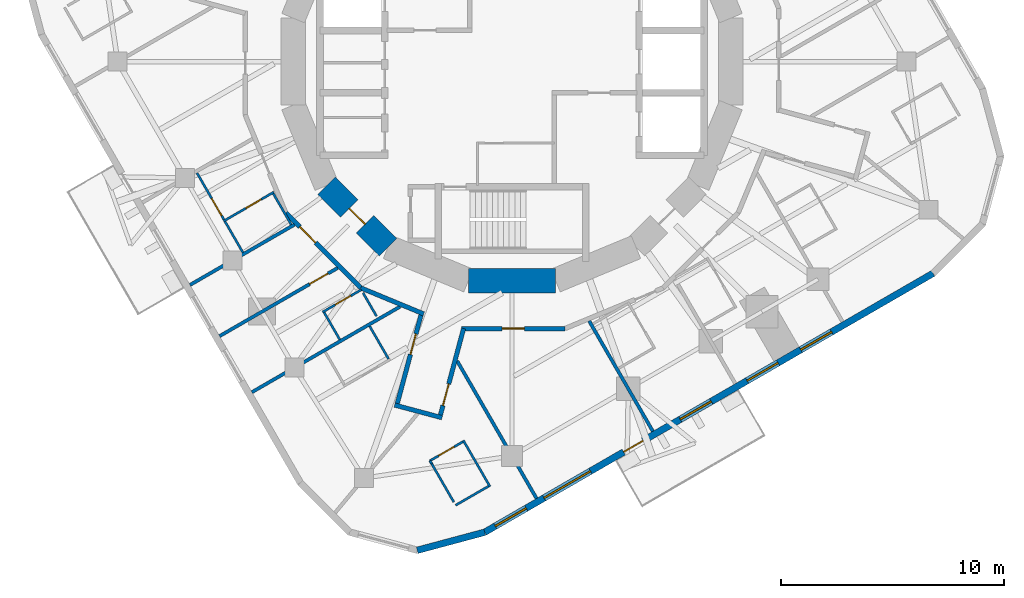
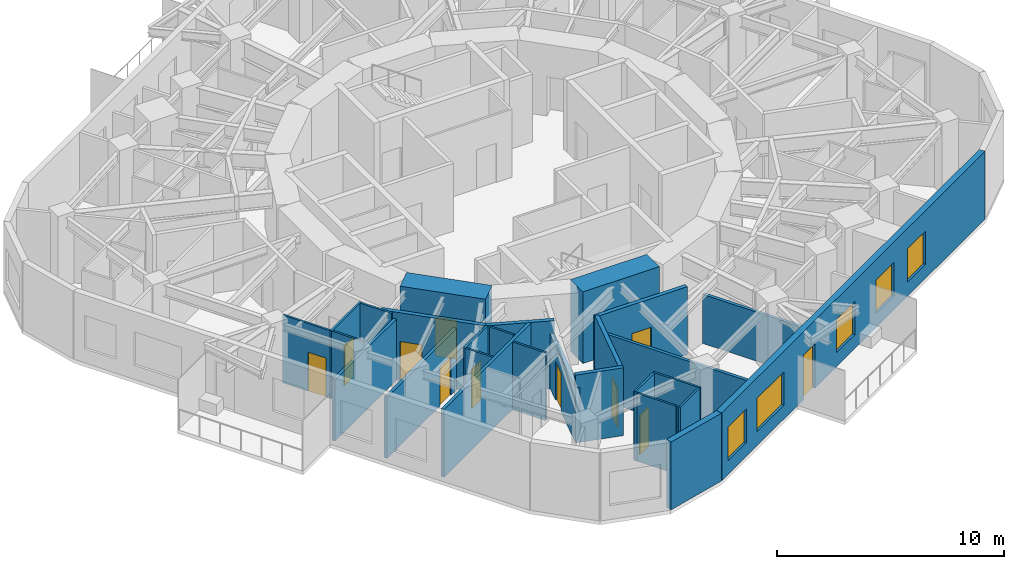
# One storey, part 4 of 11: 28 walls, 11 doors, 5 windows, 16 openings.
"""IFC4 building model written with IfcOpenShell, lengths in metres."""

from ifc_helpers import new_model, si_unit, direction, frame, frame_2d, origin, place, context, subcontext, project, spatial, rectangle, extrude, material, layer, layer_set, type_object, element, fill, save


model = new_model("IFC4")

# Units and contexts
model_context = context("Model", 3, precision=1e-05, world=origin(), true_north=direction((0.0, 1.0)))
body_context = subcontext(model_context, "Body", "Model", "MODEL_VIEW")
ifc_project = project(units=[si_unit("LENGTHUNIT", "METRE"), si_unit("AREAUNIT", "SQUARE_METRE"), si_unit("VOLUMEUNIT", "CUBIC_METRE"), si_unit("PLANEANGLEUNIT", "RADIAN"), si_unit("MASSUNIT", "GRAM", prefix="KILO")], contexts=[model_context])

# Site, building, storey
site_placement = place(None, origin())
site = spatial("IfcSite", under=ifc_project, at=site_placement, CompositionType="ELEMENT")
building_placement = place(site_placement, origin())
building = spatial("IfcBuilding", under=site, at=building_placement, Name="Nakasero Lantern House", CompositionType="ELEMENT")
storey_placement = place(building_placement, frame((0.0, 0.0, 242.35009765625)))
storey = spatial("IfcBuildingStorey", under=building, at=storey_placement, Name="L59", CompositionType="ELEMENT", Elevation=242.35009765625)

# Wall, opening, door
ifc_material_1 = material(Name="Concrete C50/60", Category="concrete")
ifc_layer_1 = layer(ifc_material_1, 1.10009765625)
ifc_layer_set_1 = layer_set([ifc_layer_1], Name="Core wall 1100")
wall_type_1 = type_object("IfcWallType", Name="Core wall 1100", PredefinedType="SHEAR", material=ifc_layer_set_1)
wall_1_placement = place(storey_placement, frame((-8.314697265625, -5.5556640625, 0.0), z_axis=(0.0, 0.0, 1.0), x_axis=(0.707106781187, -0.707106781187, 0.0)))
wall_1 = element("IfcWall", 1, at=wall_1_placement, inside=storey, type_object=wall_type_1, Name="Core wall L59 facet 10", PredefinedType="SHEAR", context=body_context, shape_type="SweptSolid", body=[
    extrude(rectangle(XDim=3.90185546875, YDim=1.10009765625, at=frame_2d((1.950927734375, 0.0))), origin(), (0.0, 0.0, 1.0), 3.849853515625),
])
opening_1_placement = place(wall_1_placement, frame((1.450927734375, 0.0, 0.0)))
opening_1 = element("IfcOpeningElement", 2, at=opening_1_placement, cuts=wall_1, Name="Opening D05", PredefinedType="OPENING", context=body_context, shape_type="SweptSolid", body=[
    extrude(rectangle(XDim=1.0, YDim=2.10009765625, at=frame_2d((0.5, 1.050048828125))), frame((0.0, 0.570068359375, 0.0), z_axis=(0.0, -1.0, 0.0), x_axis=(1.0, 0.0, 0.0)), (0.0, 0.0, 1.0), 1.14013671875),
])
ifc_material_2 = material(Name="Timber C24", Category="wood")
door_type_1 = type_object("IfcDoorType", Name="Core door FD60S 1000", OperationType="SINGLE_SWING_LEFT", PredefinedType="DOOR", material=ifc_material_2)
door_1_placement = place(opening_1_placement, origin())
door_1 = element("IfcDoor", 3, at=door_1_placement, inside=storey, type_object=door_type_1, Name="Door L59 D-CORE10", OperationType="SINGLE_SWING_LEFT", OverallHeight=2.10009765625, OverallWidth=1.0, PredefinedType="DOOR", context=body_context, shape_type="SweptSolid", body=[
    extrude(rectangle(XDim=1.0, YDim=2.10009765625, at=frame_2d((0.5, 1.050048828125))), frame((0.0, 0.02490234375, 0.0), z_axis=(0.0, -1.0, 0.0), x_axis=(1.0, 0.0, 0.0)), (0.0, 0.0, 1.0), 0.050048828125),
])
fill(opening_1, door_1)

# Wall
wall_2_placement = place(storey_placement, frame((-1.950927734375, -9.807861328125, 0.0), z_axis=(0.0, 0.0, 1.0), x_axis=(1.0, 0.0, 0.0)))
element("IfcWall", 4, at=wall_2_placement, inside=storey, type_object=wall_type_1, Name="Core wall L59 facet 12", PredefinedType="SHEAR", context=body_context, shape_type="SweptSolid", body=[
    extrude(rectangle(XDim=3.90185546875, YDim=1.10009765625, at=frame_2d((1.950927734375, 0.0))), origin(), (0.0, 0.0, 1.0), 3.849853515625),
])

# Wall, opening, door
ifc_material_3 = material(Name="Blockwork", Category="masonry")
ifc_layer_2 = layer(ifc_material_3, 0.199951171875)
ifc_layer_set_2 = layer_set([ifc_layer_2], Name="Corridor wall 200")
wall_type_2 = type_object("IfcWallType", Name="Corridor wall 200", PredefinedType="PARTITIONING", material=ifc_layer_set_2)
wall_3_placement = place(storey_placement, frame((2.378662109375, -11.957763671875, 0.0), z_axis=(0.0, 0.0, 1.0), x_axis=(-1.0, 0.0, 0.0)))
wall_3 = element("IfcWall", 5, at=wall_3_placement, inside=storey, type_object=wall_type_2, Name="Corridor wall L59 RC04a", PredefinedType="PARTITIONING", context=body_context, shape_type="SweptSolid", body=[
    extrude(rectangle(XDim=4.651123046875, YDim=0.199951171875, at=frame_2d((2.32568359375, 0.0))), origin(), (0.0, 0.0, 1.0), 3.64990234375),
])
opening_2_placement = place(wall_3_placement, frame((1.820068359375, 0.0, 0.0)))
opening_2 = element("IfcOpeningElement", 6, at=opening_2_placement, cuts=wall_3, Name="Opening D03", PredefinedType="OPENING", context=body_context, shape_type="SweptSolid", body=[
    extrude(rectangle(XDim=1.0, YDim=2.10009765625, at=frame_2d((0.5, 1.050048828125))), frame((0.0, 0.119873046875, 0.0), z_axis=(0.0, -1.0, 0.0), x_axis=(1.0, 0.0, 0.0)), (0.0, 0.0, 1.0), 0.239990234375),
])
ifc_material_4 = material(Name="Timber C24", Category="wood")
door_type_2 = type_object("IfcDoorType", Name="Lounge door FD30S 1000", OperationType="SINGLE_SWING_LEFT", PredefinedType="DOOR", material=ifc_material_4)
door_2_placement = place(opening_2_placement, origin())
door_2 = element("IfcDoor", 7, at=door_2_placement, inside=storey, type_object=door_type_2, Name="Door L59 DK3", OperationType="SINGLE_SWING_LEFT", OverallHeight=2.10009765625, OverallWidth=1.0, PredefinedType="DOOR", context=body_context, shape_type="SweptSolid", body=[
    extrude(rectangle(XDim=1.0, YDim=2.10009765625, at=frame_2d((0.5, 1.050048828125))), frame((0.0, 0.02490234375, 0.0), z_axis=(0.0, -1.0, 0.0), x_axis=(1.0, 0.0, 0.0)), (0.0, 0.0, 1.0), 0.050048828125),
])
fill(opening_2, door_2)

# Wall
wall_4_placement = place(storey_placement, frame((-3.960205078125, -11.302734375, 0.0), z_axis=(0.0, 0.0, 1.0), x_axis=(-0.923890787601, 0.382656259044, 0.0)))
element("IfcWall", 8, at=wall_4_placement, inside=storey, type_object=wall_type_2, Name="Corridor wall L59 RC05a", PredefinedType="PARTITIONING", context=body_context, shape_type="SweptSolid", body=[
    extrude(rectangle(XDim=3.045166015625, YDim=0.199951171875, at=frame_2d((1.5224609375, 0.0))), origin(), (0.0, 0.0, 1.0), 3.64990234375),
])

# Wall, opening, door
wall_5_placement = place(storey_placement, frame((-6.773681640625, -10.137451171875, 0.0), z_axis=(0.0, 0.0, 1.0), x_axis=(-0.707106781187, 0.707106781187, 0.0)))
wall_5 = element("IfcWall", 9, at=wall_5_placement, inside=storey, type_object=wall_type_2, Name="Corridor wall L59 RC06a", PredefinedType="PARTITIONING", context=body_context, shape_type="SweptSolid", body=[
    extrude(rectangle(XDim=4.757080078125, YDim=0.199951171875, at=frame_2d((2.37841796875, 0.0))), origin(), (0.0, 0.0, 1.0), 3.64990234375),
])
opening_3_placement = place(wall_5_placement, frame((2.8701171875, 0.0, 0.0)))
opening_3 = element("IfcOpeningElement", 10, at=opening_3_placement, cuts=wall_5, Name="Opening D14", PredefinedType="OPENING", context=body_context, shape_type="SweptSolid", body=[
    extrude(rectangle(XDim=1.0, YDim=2.10009765625, at=frame_2d((0.5, 1.050048828125))), frame((0.0, 0.119873046875, 0.0), z_axis=(0.0, -1.0, 0.0), x_axis=(1.0, 0.0, 0.0)), (0.0, 0.0, 1.0), 0.239990234375),
])
ifc_material_5 = material(Name="Timber C24", Category="wood")
door_type_3 = type_object("IfcDoorType", Name="Cluster entrance door FD30S 1000", OperationType="SINGLE_SWING_LEFT", PredefinedType="DOOR", material=ifc_material_5)
door_3_placement = place(opening_3_placement, origin())
door_3 = element("IfcDoor", 11, at=door_3_placement, inside=storey, type_object=door_type_3, Name="Door L59 D2-04", OperationType="SINGLE_SWING_RIGHT", OverallHeight=2.10009765625, OverallWidth=1.0, PredefinedType="DOOR", context=body_context, shape_type="SweptSolid", body=[
    extrude(rectangle(XDim=1.0, YDim=2.10009765625, at=frame_2d((0.5, 1.050048828125))), frame((0.0, 0.02490234375, 0.0), z_axis=(0.0, -1.0, 0.0), x_axis=(1.0, 0.0, 0.0)), (0.0, 0.0, 1.0), 0.050048828125),
])
fill(opening_3, door_3)

wall_6_placement = place(storey_placement, frame((-4.053466796875, -11.26416015625, 0.0), z_axis=(0.0, 0.0, 1.0), x_axis=(-0.258841611204, -0.965919779438, 0.0)))
wall_6 = element("IfcWall", 12, at=wall_6_placement, inside=storey, type_object=wall_type_2, Name="Corridor wall L59 SP2a", PredefinedType="PARTITIONING", context=body_context, shape_type="SweptSolid", body=[
    extrude(rectangle(XDim=4.394287109375, YDim=0.199951171875, at=frame_2d((2.197265625, 0.0))), origin(), (0.0, 0.0, 1.0), 2.95703125),
])
opening_4_placement = place(wall_6_placement, frame((0.969970703125, 0.0, 0.0)))
opening_4 = element("IfcOpeningElement", 13, at=opening_4_placement, cuts=wall_6, Name="Opening D01", PredefinedType="OPENING", context=body_context, shape_type="SweptSolid", body=[
    extrude(rectangle(XDim=0.949951171875, YDim=2.10009765625, at=frame_2d((0.47509765625, 1.050048828125))), frame((0.0, 0.119873046875, 0.0), z_axis=(0.0, -1.0, 0.0), x_axis=(1.0, 0.0, 0.0)), (0.0, 0.0, 1.0), 0.239990234375),
])
ifc_material_6 = material(Name="Timber C24", Category="wood")
door_type_4 = type_object("IfcDoorType", Name="Bedroom door FD30S 950", OperationType="SINGLE_SWING_LEFT", PredefinedType="DOOR", material=ifc_material_6)
door_4_placement = place(opening_4_placement, origin())
door_4 = element("IfcDoor", 14, at=door_4_placement, inside=storey, type_object=door_type_4, Name="Door L59 D2-06", OperationType="SINGLE_SWING_LEFT", OverallHeight=2.10009765625, OverallWidth=0.949951171875, PredefinedType="DOOR", context=body_context, shape_type="SweptSolid", body=[
    extrude(rectangle(XDim=0.949951171875, YDim=2.10009765625, at=frame_2d((0.47509765625, 1.050048828125))), frame((0.0, 0.02490234375, 0.0), z_axis=(0.0, -1.0, 0.0), x_axis=(1.0, 0.0, 0.0)), (0.0, 0.0, 1.0), 0.050048828125),
])
fill(opening_4, door_4)

wall_7_placement = place(storey_placement, frame((-2.168701171875, -11.957763671875, 0.0), z_axis=(0.0, 0.0, 1.0), x_axis=(-0.258852936168, -0.965916744568, 0.0)))
wall_7 = element("IfcWall", 15, at=wall_7_placement, inside=storey, type_object=wall_type_2, Name="Corridor wall L59 SP2b", PredefinedType="PARTITIONING", context=body_context, shape_type="SweptSolid", body=[
    extrude(rectangle(XDim=4.212158203125, YDim=0.199951171875, at=frame_2d((2.10595703125, 0.0))), origin(), (0.0, 0.0, 1.0), 3.64990234375),
])
opening_5_placement = place(wall_7_placement, frame((2.570068359375, 0.0, 0.0)))
opening_5 = element("IfcOpeningElement", 16, at=opening_5_placement, cuts=wall_7, Name="Opening D07", PredefinedType="OPENING", context=body_context, shape_type="SweptSolid", body=[
    extrude(rectangle(XDim=1.0, YDim=2.10009765625, at=frame_2d((0.5, 1.050048828125))), frame((0.0, 0.119873046875, 0.0), z_axis=(0.0, -1.0, 0.0), x_axis=(1.0, 0.0, 0.0)), (0.0, 0.0, 1.0), 0.239990234375),
])
ifc_material_7 = material(Name="Timber C24", Category="wood")
door_type_5 = type_object("IfcDoorType", Name="Room door FD30S 1000", OperationType="SINGLE_SWING_LEFT", PredefinedType="DOOR", material=ifc_material_7)
door_5_placement = place(opening_5_placement, origin())
door_5 = element("IfcDoor", 17, at=door_5_placement, inside=storey, type_object=door_type_5, Name="Door L59 D3-00", OperationType="SINGLE_SWING_RIGHT", OverallHeight=2.10009765625, OverallWidth=1.0, PredefinedType="DOOR", context=body_context, shape_type="SweptSolid", body=[
    extrude(rectangle(XDim=1.0, YDim=2.10009765625, at=frame_2d((0.5, 1.050048828125))), frame((0.0, 0.02490234375, 0.0), z_axis=(0.0, -1.0, 0.0), x_axis=(1.0, 0.0, 0.0)), (0.0, 0.0, 1.0), 0.050048828125),
])
fill(opening_5, door_5)

# Wall
wall_8_placement = place(storey_placement, frame((-5.261474609375, -15.38623046875, 0.0), z_axis=(0.0, 0.0, 1.0), x_axis=(0.965904454439, -0.258898792763, 0.0)))
element("IfcWall", 18, at=wall_8_placement, inside=storey, type_object=wall_type_2, Name="Corridor wall L59 SP2e", PredefinedType="PARTITIONING", context=body_context, shape_type="SweptSolid", body=[
    extrude(rectangle(XDim=2.199951171875, YDim=0.199951171875, at=frame_2d((1.10009765625, 0.0))), origin(), (0.0, 0.0, 1.0), 3.64990234375),
])

# Wall, opening, door
ifc_material_8 = material(Name="Blockwork", Category="masonry")
ifc_layer_3 = layer(ifc_material_8, 0.10009765625)
ifc_layer_set_3 = layer_set([ifc_layer_3], Name="En-suite wall 100")
wall_type_3 = type_object("IfcWallType", Name="En-suite wall 100", PredefinedType="PARTITIONING", material=ifc_layer_set_3)
wall_9_placement = place(storey_placement, frame((-10.674560546875, -5.846435546875, 0.0), z_axis=(0.0, 0.0, 1.0), x_axis=(-0.866021400173, -0.500006934395, 0.0)))
wall_9 = element("IfcWall", 19, at=wall_9_placement, inside=storey, type_object=wall_type_3, Name="En-suite wall L59 ES2-03", PredefinedType="PARTITIONING", context=body_context, shape_type="SweptSolid", body=[
    extrude(rectangle(XDim=2.60009765625, YDim=0.10009765625, at=frame_2d((1.300048828125, 0.0))), origin(), (0.0, 0.0, 1.0), 3.64990234375),
])
opening_6_placement = place(wall_9_placement, frame((0.64990234375, 0.0, 0.0)))
opening_6 = element("IfcOpeningElement", 20, at=opening_6_placement, cuts=wall_9, Name="Opening D02", PredefinedType="OPENING", context=body_context, shape_type="SweptSolid", body=[
    extrude(rectangle(XDim=0.800048828125, YDim=2.10009765625, at=frame_2d((0.39990234375, 1.050048828125))), frame((0.0, 0.070068359375, 0.0), z_axis=(0.0, -1.0, 0.0), x_axis=(1.0, 0.0, 0.0)), (0.0, 0.0, 1.0), 0.14013671875),
])
ifc_material_9 = material(Name="Timber C24", Category="wood")
door_type_6 = type_object("IfcDoorType", Name="En-suite door 800", OperationType="SINGLE_SWING_RIGHT", PredefinedType="DOOR", material=ifc_material_9)
door_6_placement = place(opening_6_placement, origin())
door_6 = element("IfcDoor", 21, at=door_6_placement, inside=storey, type_object=door_type_6, Name="Door L59 DE2-03", OperationType="SINGLE_SWING_LEFT", OverallHeight=2.10009765625, OverallWidth=0.800048828125, PredefinedType="DOOR", context=body_context, shape_type="SweptSolid", body=[
    extrude(rectangle(XDim=0.800048828125, YDim=2.10009765625, at=frame_2d((0.39990234375, 1.050048828125))), frame((0.0, 0.02490234375, 0.0), z_axis=(0.0, -1.0, 0.0), x_axis=(1.0, 0.0, 0.0)), (0.0, 0.0, 1.0), 0.050048828125),
])
fill(opening_6, door_6)

# Walls
for number, where, z_axis, x_axis, name in (
    (22, (-12.85791015625, -7.164794921875, 0.0), (0.0, 0.0, 1.0), (0.499880961361, -0.866094119867, 0.0), "En-suite wall L59 EE2-03"),
    (23, (-10.69287109375, -5.914794921875, 0.0), (0.0, 0.0, 1.0), (0.499880961361, -0.866094119867, 0.0), "En-suite wall L59 EI2-03"),
):
    element("IfcWall", number, at=place(storey_placement, frame(where, z_axis=z_axis, x_axis=x_axis)), inside=storey, type_object=wall_type_3, Name=name, PredefinedType="PARTITIONING", context=body_context, shape_type="SweptSolid", body=[
        extrude(rectangle(XDim=1.60009765625, YDim=0.10009765625, at=frame_2d((0.800048828125, 0.0))), origin(), (0.0, 0.0, 1.0), 3.64990234375),
    ])

# Wall, opening, door
wall_10_placement = place(storey_placement, frame((-6.754150390625, -10.220703125, 0.0), z_axis=(0.0, 0.0, 1.0), x_axis=(-0.866010750942, -0.50002537861, 0.0)))
wall_10 = element("IfcWall", 24, at=wall_10_placement, inside=storey, type_object=wall_type_3, Name="En-suite wall L59 ES2-05", PredefinedType="PARTITIONING", context=body_context, shape_type="SweptSolid", body=[
    extrude(rectangle(XDim=2.0, YDim=0.10009765625, at=frame_2d((1.0, 0.0))), origin(), (0.0, 0.0, 1.0), 3.64990234375),
])
opening_7_placement = place(wall_10_placement, frame((0.550048828125, 0.0, 0.0)))
opening_7 = element("IfcOpeningElement", 25, at=opening_7_placement, cuts=wall_10, Name="Opening D02", PredefinedType="OPENING", context=body_context, shape_type="SweptSolid", body=[
    extrude(rectangle(XDim=0.800048828125, YDim=2.10009765625, at=frame_2d((0.39990234375, 1.050048828125))), frame((0.0, 0.070068359375, 0.0), z_axis=(0.0, -1.0, 0.0), x_axis=(1.0, 0.0, 0.0)), (0.0, 0.0, 1.0), 0.14013671875),
])
door_7_placement = place(opening_7_placement, origin())
door_7 = element("IfcDoor", 26, at=door_7_placement, inside=storey, type_object=door_type_6, Name="Door L59 DE2-05", OperationType="SINGLE_SWING_LEFT", OverallHeight=2.10009765625, OverallWidth=0.800048828125, PredefinedType="DOOR", context=body_context, shape_type="SweptSolid", body=[
    extrude(rectangle(XDim=0.800048828125, YDim=2.10009765625, at=frame_2d((0.39990234375, 1.050048828125))), frame((0.0, 0.02490234375, 0.0), z_axis=(0.0, -1.0, 0.0), x_axis=(1.0, 0.0, 0.0)), (0.0, 0.0, 1.0), 0.050048828125),
])
fill(opening_7, door_7)

# Walls
wall_11_placement = place(storey_placement, frame((-8.417724609375, -11.239013671875, 0.0), z_axis=(0.0, 0.0, 1.0), x_axis=(0.49998411664, -0.866034573852, 0.0)))
element("IfcWall", 27, at=wall_11_placement, inside=storey, type_object=wall_type_3, Name="En-suite wall L59 EE2-05", PredefinedType="PARTITIONING", context=body_context, shape_type="SweptSolid", body=[
    extrude(rectangle(XDim=1.39990234375, YDim=0.10009765625, at=frame_2d((0.699951171875, 0.0))), origin(), (0.0, 0.0, 1.0), 3.64990234375),
])
wall_12_placement = place(storey_placement, frame((-6.37890625, -11.8515625, 0.0), z_axis=(0.0, 0.0, 1.0), x_axis=(0.500062241894, -0.865989465428, 0.0)))
element("IfcWall", 28, at=wall_12_placement, inside=storey, type_object=wall_type_3, Name="En-suite wall L59 EI2-06", PredefinedType="PARTITIONING", context=body_context, shape_type="SweptSolid", body=[
    extrude(rectangle(XDim=1.699951171875, YDim=0.10009765625, at=frame_2d((0.85009765625, 0.0))), origin(), (0.0, 0.0, 1.0), 3.64990234375),
])
wall_13_placement = place(storey_placement, frame((-2.18505859375, -16.96533203125, 0.0), z_axis=(0.0, 0.0, 1.0), x_axis=(0.499957262057, -0.866050077142, 0.0)))
element("IfcWall", 29, at=wall_13_placement, inside=storey, type_object=wall_type_3, Name="En-suite wall L59 ES3-00", PredefinedType="PARTITIONING", context=body_context, shape_type="SweptSolid", body=[
    extrude(rectangle(XDim=2.400146484375, YDim=0.10009765625, at=frame_2d((1.2001953125, 0.0))), origin(), (0.0, 0.0, 1.0), 3.64990234375),
])
wall_14_placement = place(storey_placement, frame((-2.525634765625, -19.87548828125, 0.0), z_axis=(0.0, 0.0, 1.0), x_axis=(0.866087547558, 0.499892348375, 0.0)))
element("IfcWall", 30, at=wall_14_placement, inside=storey, type_object=wall_type_3, Name="En-suite wall L59 EE3-00", PredefinedType="PARTITIONING", context=body_context, shape_type="SweptSolid", body=[
    extrude(rectangle(XDim=1.699951171875, YDim=0.10009765625, at=frame_2d((0.85009765625, 0.0))), origin(), (0.0, 0.0, 1.0), 3.64990234375),
])

# Wall, opening, door
wall_15_placement = place(storey_placement, frame((-3.675537109375, -17.8837890625, 0.0), z_axis=(0.0, 0.0, 1.0), x_axis=(0.865989465428, 0.500062241894, 0.0)))
wall_15 = element("IfcWall", 31, at=wall_15_placement, inside=storey, type_object=wall_type_3, Name="En-suite wall L59 EI3-00", PredefinedType="PARTITIONING", context=body_context, shape_type="SweptSolid", body=[
    extrude(rectangle(XDim=1.699951171875, YDim=0.10009765625, at=frame_2d((0.85009765625, 0.0))), origin(), (0.0, 0.0, 1.0), 3.64990234375),
])
opening_8_placement = place(wall_15_placement, frame((0.449951171875, 0.0, 0.0)))
opening_8 = element("IfcOpeningElement", 32, at=opening_8_placement, cuts=wall_15, Name="Opening D15", PredefinedType="OPENING", context=body_context, shape_type="SweptSolid", body=[
    extrude(rectangle(XDim=0.800048828125, YDim=2.10009765625, at=frame_2d((0.39990234375, 1.050048828125))), frame((0.0, 0.070068359375, 0.0), z_axis=(0.0, -1.0, 0.0), x_axis=(1.0, 0.0, 0.0)), (0.0, 0.0, 1.0), 0.14013671875),
])
ifc_material_10 = material(Name="Timber C24", Category="wood")
door_type_7 = type_object("IfcDoorType", Name="Cleaner's store door FD30S 800", OperationType="SINGLE_SWING_LEFT", PredefinedType="DOOR", material=ifc_material_10)
door_8_placement = place(opening_8_placement, origin())
door_8 = element("IfcDoor", 33, at=door_8_placement, inside=storey, type_object=door_type_7, Name="Door L59 DE3-00", OperationType="SINGLE_SWING_RIGHT", OverallHeight=2.10009765625, OverallWidth=0.800048828125, PredefinedType="DOOR", context=body_context, shape_type="SweptSolid", body=[
    extrude(rectangle(XDim=0.800048828125, YDim=2.10009765625, at=frame_2d((0.39990234375, 1.050048828125))), frame((0.0, 0.02490234375, 0.0), z_axis=(0.0, -1.0, 0.0), x_axis=(1.0, 0.0, 0.0)), (0.0, 0.0, 1.0), 0.050048828125),
])
fill(opening_8, door_8)

wall_16_placement = place(storey_placement, frame((-14.1162109375, -4.985595703125, 0.0), z_axis=(0.0, 0.0, 1.0), x_axis=(0.500040226184, -0.86600217794, 0.0)))
wall_16 = element("IfcWall", 34, at=wall_16_placement, inside=storey, type_object=wall_type_3, Name="En-suite wall L59 EL2-03", PredefinedType="PARTITIONING", context=body_context, shape_type="SweptSolid", body=[
    extrude(rectangle(XDim=2.416259765625, YDim=0.10009765625, at=frame_2d((1.2080078125, 0.0))), origin(), (0.0, 0.0, 1.0), 3.64990234375),
])
opening_9_placement = place(wall_16_placement, frame((1.31640625, 0.0, 0.0)))
opening_9 = element("IfcOpeningElement", 35, at=opening_9_placement, cuts=wall_16, Name="Opening D17", PredefinedType="OPENING", context=body_context, shape_type="SweptSolid", body=[
    extrude(rectangle(XDim=0.89990234375, YDim=2.10009765625, at=frame_2d((0.449951171875, 1.050048828125))), frame((0.0, 0.070068359375, 0.0), z_axis=(0.0, -1.0, 0.0), x_axis=(1.0, 0.0, 0.0)), (0.0, 0.0, 1.0), 0.14013671875),
])
ifc_material_11 = material(Name="Timber C24", Category="wood")
door_type_8 = type_object("IfcDoorType", Name="Bedroom door FD30S 900", OperationType="SINGLE_SWING_LEFT", PredefinedType="DOOR", material=ifc_material_11)
door_9_placement = place(opening_9_placement, origin())
door_9 = element("IfcDoor", 36, at=door_9_placement, inside=storey, type_object=door_type_8, Name="Door L59 DL2-03", OperationType="SINGLE_SWING_RIGHT", OverallHeight=2.10009765625, OverallWidth=0.89990234375, PredefinedType="DOOR", context=body_context, shape_type="SweptSolid", body=[
    extrude(rectangle(XDim=0.89990234375, YDim=2.10009765625, at=frame_2d((0.449951171875, 1.050048828125))), frame((0.0, 0.02490234375, 0.0), z_axis=(0.0, -1.0, 0.0), x_axis=(1.0, 0.0, 0.0)), (0.0, 0.0, 1.0), 0.050048828125),
])
fill(opening_9, door_9)

# Walls
wall_17_placement = place(storey_placement, frame((-6.071533203125, -11.40283203125, 0.0), z_axis=(0.0, 0.0, 1.0), x_axis=(-0.500061536317, 0.86598987286, 0.0)))
element("IfcWall", 37, at=wall_17_placement, inside=storey, type_object=wall_type_3, Name="En-suite wall L59 EX004", PredefinedType="PARTITIONING", context=body_context, shape_type="SweptSolid", body=[
    extrude(rectangle(XDim=1.204833984375, YDim=0.10009765625, at=frame_2d((0.6025390625, 0.0))), origin(), (0.0, 0.0, 1.0), 3.64990234375),
])
wall_18_placement = place(storey_placement, frame((-3.595458984375, -18.022216796875, 0.0), z_axis=(0.0, 0.0, 1.0), x_axis=(0.499971491109, -0.866041862775, 0.0)))
element("IfcWall", 38, at=wall_18_placement, inside=storey, type_object=wall_type_3, Name="En-suite wall L59 EX005", PredefinedType="PARTITIONING", context=body_context, shape_type="SweptSolid", body=[
    extrude(rectangle(XDim=1.97998046875, YDim=0.10009765625, at=frame_2d((0.989990234375, 0.0))), origin(), (0.0, 0.0, 1.0), 3.64990234375),
])
wall_19_placement = place(storey_placement, frame((-3.675537109375, -17.8837890625, 0.0), z_axis=(0.0, 0.0, 1.0), x_axis=(0.500735348028, -0.865600433939, 0.0)))
element("IfcWall", 39, at=wall_19_placement, inside=storey, type_object=wall_type_3, Name="En-suite wall L59 EI3-00R0", PredefinedType="PARTITIONING", context=body_context, shape_type="SweptSolid", body=[
    extrude(rectangle(XDim=0.159912109375, YDim=0.10009765625, at=frame_2d((0.080078125, 0.0))), origin(), (0.0, 0.0, 1.0), 3.64990234375),
])
ifc_material_12 = material(Name="Aluminium rainscreen on blockwork", Category="masonry")
ifc_layer_4 = layer(ifc_material_12, 0.300048828125)
ifc_layer_set_4 = layer_set([ifc_layer_4], Name="Facade wall 300")
wall_type_4 = type_object("IfcWallType", Name="Facade wall 300", PredefinedType="SOLIDWALL", material=ifc_layer_set_4)
wall_20_placement = place(storey_placement, frame((-4.245849609375, -21.89599609375, 0.0), z_axis=(0.0, 0.0, 1.0), x_axis=(0.96592369199, 0.258827010283, 0.0)))
element("IfcWall", 40, at=wall_20_placement, inside=storey, type_object=wall_type_4, Name="Facade wall L59 FW2C3", PredefinedType="SOLIDWALL", context=body_context, shape_type="SweptSolid", body=[
    extrude(rectangle(XDim=3.131591796875, YDim=0.300048828125, at=frame_2d((1.56591796875, 0.0))), origin(), (0.0, 0.0, 1.0), 3.64990234375),
])

# Wall, openings, door, windows
wall_21_placement = place(storey_placement, frame((-1.220947265625, -21.08544921875, 0.0), z_axis=(0.0, 0.0, 1.0), x_axis=(0.86602366199, 0.500003016864, 0.0)))
wall_21 = element("IfcWall", 41, at=wall_21_placement, inside=storey, type_object=wall_type_4, Name="Facade wall L59 FW3S", PredefinedType="SOLIDWALL", context=body_context, shape_type="SweptSolid", body=[
    extrude(rectangle(XDim=23.199951171875, YDim=0.300048828125, at=frame_2d((11.60009765625, 0.0))), origin(), (0.0, 0.0, 1.0), 3.64990234375),
])
opening_10_placement = place(wall_21_placement, frame((0.5458984375, 0.0, 0.75)))
opening_10 = element("IfcOpeningElement", 42, at=opening_10_placement, cuts=wall_21, Name="Opening W01", PredefinedType="OPENING", context=body_context, shape_type="SweptSolid", body=[
    extrude(rectangle(XDim=1.60009765625, YDim=1.800048828125, at=frame_2d((0.800048828125, 0.89990234375))), frame((0.0, 0.169921875, 0.0), z_axis=(0.0, -1.0, 0.0), x_axis=(1.0, 0.0, 0.0)), (0.0, 0.0, 1.0), 0.340087890625),
])
opening_11_placement = place(wall_21_placement, frame((10.11767578125, 0.0, 0.75)))
opening_11 = element("IfcOpeningElement", 43, at=opening_11_placement, cuts=wall_21, Name="Opening W01", PredefinedType="OPENING", context=body_context, shape_type="SweptSolid", body=[
    extrude(rectangle(XDim=1.60009765625, YDim=1.800048828125, at=frame_2d((0.800048828125, 0.89990234375))), frame((0.0, 0.169921875, 0.0), z_axis=(0.0, -1.0, 0.0), x_axis=(1.0, 0.0, 0.0)), (0.0, 0.0, 1.0), 0.340087890625),
])
opening_12_placement = place(wall_21_placement, frame((13.5751953125, 0.0, 0.75)))
opening_12 = element("IfcOpeningElement", 44, at=opening_12_placement, cuts=wall_21, Name="Opening W01", PredefinedType="OPENING", context=body_context, shape_type="SweptSolid", body=[
    extrude(rectangle(XDim=1.60009765625, YDim=1.800048828125, at=frame_2d((0.800048828125, 0.89990234375))), frame((0.0, 0.169921875, 0.0), z_axis=(0.0, -1.0, 0.0), x_axis=(1.0, 0.0, 0.0)), (0.0, 0.0, 1.0), 0.340087890625),
])
opening_13_placement = place(wall_21_placement, frame((16.349609375, 0.0, 0.75)))
opening_13 = element("IfcOpeningElement", 45, at=opening_13_placement, cuts=wall_21, Name="Opening W01", PredefinedType="OPENING", context=body_context, shape_type="SweptSolid", body=[
    extrude(rectangle(XDim=1.60009765625, YDim=1.800048828125, at=frame_2d((0.800048828125, 0.89990234375))), frame((0.0, 0.169921875, 0.0), z_axis=(0.0, -1.0, 0.0), x_axis=(1.0, 0.0, 0.0)), (0.0, 0.0, 1.0), 0.340087890625),
])
opening_14_placement = place(wall_21_placement, frame((3.071044921875, 0.0, 0.75)))
opening_14 = element("IfcOpeningElement", 46, at=opening_14_placement, cuts=wall_21, Name="Opening W03", PredefinedType="OPENING", context=body_context, shape_type="SweptSolid", body=[
    extrude(rectangle(XDim=2.39990234375, YDim=1.800048828125, at=frame_2d((1.199951171875, 0.89990234375))), frame((0.0, 0.169921875, 0.0), z_axis=(0.0, -1.0, 0.0), x_axis=(1.0, 0.0, 0.0)), (0.0, 0.0, 1.0), 0.340087890625),
])
opening_15_placement = place(wall_21_placement, frame((7.1904296875, 0.0, 0.0)))
opening_15 = element("IfcOpeningElement", 47, at=opening_15_placement, cuts=wall_21, Name="Opening D04", PredefinedType="OPENING", context=body_context, shape_type="SweptSolid", body=[
    extrude(rectangle(XDim=1.0, YDim=2.39990234375, at=frame_2d((0.5, 1.199951171875))), frame((0.0, 0.169921875, 0.0), z_axis=(0.0, -1.0, 0.0), x_axis=(1.0, 0.0, 0.0)), (0.0, 0.0, 1.0), 0.340087890625),
])
ifc_material_13 = material(Name="Aluminium 6063-T6 and glass", Category="aluminium")
door_type_9 = type_object("IfcDoorType", Name="Balcony door 1000x2400", OperationType="SINGLE_SWING_RIGHT", PredefinedType="DOOR", material=ifc_material_13)
door_10_placement = place(opening_15_placement, origin())
door_10 = element("IfcDoor", 48, at=door_10_placement, inside=storey, type_object=door_type_9, Name="Balcony door L59 DB3", OperationType="SINGLE_SWING_RIGHT", OverallHeight=2.39990234375, OverallWidth=1.0, PredefinedType="DOOR", context=body_context, shape_type="SweptSolid", body=[
    extrude(rectangle(XDim=1.0, YDim=2.39990234375, at=frame_2d((0.5, 1.199951171875))), frame((0.0, 0.02490234375, 0.0), z_axis=(0.0, -1.0, 0.0), x_axis=(1.0, 0.0, 0.0)), (0.0, 0.0, 1.0), 0.050048828125),
])
fill(opening_15, door_10)
ifc_material_14 = material(Name="Aluminium 6063-T6 and glass", Category="aluminium")
window_type_1 = type_object("IfcWindowType", Name="Bedroom window 1600x1800", PartitioningType="SINGLE_PANEL", PredefinedType="WINDOW", material=ifc_material_14)
window_1_placement = place(opening_10_placement, origin())
window_1 = element("IfcWindow", 49, at=window_1_placement, inside=storey, type_object=window_type_1, Name="Window L59 WN3-00", OverallHeight=1.800048828125, OverallWidth=1.60009765625, PartitioningType="SINGLE_PANEL", PredefinedType="WINDOW", context=body_context, shape_type="SweptSolid", body=[
    extrude(rectangle(XDim=1.60009765625, YDim=1.800048828125, at=frame_2d((0.800048828125, 0.89990234375))), frame((0.0, 0.030029296875, 0.0), z_axis=(0.0, -1.0, 0.0), x_axis=(1.0, 0.0, 0.0)), (0.0, 0.0, 1.0), 0.06005859375),
])
fill(opening_10, window_1)
window_2_placement = place(opening_11_placement, origin())
window_2 = element("IfcWindow", 50, at=window_2_placement, inside=storey, type_object=window_type_1, Name="Window L59 WN3-03", OverallHeight=1.800048828125, OverallWidth=1.60009765625, PartitioningType="SINGLE_PANEL", PredefinedType="WINDOW", context=body_context, shape_type="SweptSolid", body=[
    extrude(rectangle(XDim=1.60009765625, YDim=1.800048828125, at=frame_2d((0.800048828125, 0.89990234375))), frame((0.0, 0.030029296875, 0.0), z_axis=(0.0, -1.0, 0.0), x_axis=(1.0, 0.0, 0.0)), (0.0, 0.0, 1.0), 0.06005859375),
])
fill(opening_11, window_2)
window_3_placement = place(opening_12_placement, origin())
window_3 = element("IfcWindow", 51, at=window_3_placement, inside=storey, type_object=window_type_1, Name="Window L59 WN3-04", OverallHeight=1.800048828125, OverallWidth=1.60009765625, PartitioningType="SINGLE_PANEL", PredefinedType="WINDOW", context=body_context, shape_type="SweptSolid", body=[
    extrude(rectangle(XDim=1.60009765625, YDim=1.800048828125, at=frame_2d((0.800048828125, 0.89990234375))), frame((0.0, 0.030029296875, 0.0), z_axis=(0.0, -1.0, 0.0), x_axis=(1.0, 0.0, 0.0)), (0.0, 0.0, 1.0), 0.06005859375),
])
fill(opening_12, window_3)
window_4_placement = place(opening_13_placement, origin())
window_4 = element("IfcWindow", 52, at=window_4_placement, inside=storey, type_object=window_type_1, Name="Window L59 WN3-05", OverallHeight=1.800048828125, OverallWidth=1.60009765625, PartitioningType="SINGLE_PANEL", PredefinedType="WINDOW", context=body_context, shape_type="SweptSolid", body=[
    extrude(rectangle(XDim=1.60009765625, YDim=1.800048828125, at=frame_2d((0.800048828125, 0.89990234375))), frame((0.0, 0.030029296875, 0.0), z_axis=(0.0, -1.0, 0.0), x_axis=(1.0, 0.0, 0.0)), (0.0, 0.0, 1.0), 0.06005859375),
])
fill(opening_13, window_4)
ifc_material_15 = material(Name="Aluminium 6063-T6 and glass", Category="aluminium")
window_type_2 = type_object("IfcWindowType", Name="Lounge window 2400x1800", PartitioningType="SINGLE_PANEL", PredefinedType="WINDOW", material=ifc_material_15)
window_5_placement = place(opening_14_placement, origin())
window_5 = element("IfcWindow", 53, at=window_5_placement, inside=storey, type_object=window_type_2, Name="Window L59 WK3", OverallHeight=1.800048828125, OverallWidth=2.39990234375, PartitioningType="SINGLE_PANEL", PredefinedType="WINDOW", context=body_context, shape_type="SweptSolid", body=[
    extrude(rectangle(XDim=2.39990234375, YDim=1.800048828125, at=frame_2d((1.199951171875, 0.89990234375))), frame((0.0, 0.030029296875, 0.0), z_axis=(0.0, -1.0, 0.0), x_axis=(1.0, 0.0, 0.0)), (0.0, 0.0, 1.0), 0.06005859375),
])
fill(opening_14, window_5)

# Wall
ifc_material_16 = material(Name="Blockwork", Category="masonry")
ifc_layer_5 = layer(ifc_material_16, 0.14990234375)
ifc_layer_set_5 = layer_set([ifc_layer_5], Name="Party wall 150")
wall_type_5 = type_object("IfcWallType", Name="Party wall 150", PredefinedType="PARTITIONING", material=ifc_layer_set_5)
wall_22_placement = place(storey_placement, frame((-9.748779296875, -7.3037109375, 0.0), z_axis=(0.0, 0.0, 1.0), x_axis=(-0.86600807666, -0.500030010259, 0.0)))
element("IfcWall", 54, at=wall_22_placement, inside=storey, type_object=wall_type_5, Name="Party wall L59 PW2-04", PredefinedType="PARTITIONING", context=body_context, shape_type="SweptSolid", body=[
    extrude(rectangle(XDim=5.405517578125, YDim=0.14990234375, at=frame_2d((2.70263671875, 0.0))), origin(), (0.0, 0.0, 1.0), 3.294921875),
])

# Wall, opening, door
wall_23_placement = place(storey_placement, frame((-7.8095703125, -9.24267578125, 0.0), z_axis=(0.0, 0.0, 1.0), x_axis=(-0.866033345069, -0.49998624504, 0.0)))
wall_23 = element("IfcWall", 55, at=wall_23_placement, inside=storey, type_object=wall_type_5, Name="Party wall L59 PW2-05", PredefinedType="PARTITIONING", context=body_context, shape_type="SweptSolid", body=[
    extrude(rectangle(XDim=6.115478515625, YDim=0.14990234375, at=frame_2d((3.0576171875, 0.0))), origin(), (0.0, 0.0, 1.0), 3.294921875),
])
opening_16_placement = place(wall_23_placement, frame((0.5, 0.0, 0.0)))
opening_16 = element("IfcOpeningElement", 56, at=opening_16_placement, cuts=wall_23, Name="Opening D01", PredefinedType="OPENING", context=body_context, shape_type="SweptSolid", body=[
    extrude(rectangle(XDim=0.949951171875, YDim=2.10009765625, at=frame_2d((0.47509765625, 1.050048828125))), frame((0.0, 0.094970703125, 0.0), z_axis=(0.0, -1.0, 0.0), x_axis=(1.0, 0.0, 0.0)), (0.0, 0.0, 1.0), 0.18994140625),
])
door_11_placement = place(opening_16_placement, origin())
door_11 = element("IfcDoor", 57, at=door_11_placement, inside=storey, type_object=door_type_4, Name="Door L59 DS2-05", OperationType="SINGLE_SWING_LEFT", OverallHeight=2.10009765625, OverallWidth=0.949951171875, PredefinedType="DOOR", context=body_context, shape_type="SweptSolid", body=[
    extrude(rectangle(XDim=0.949951171875, YDim=2.10009765625, at=frame_2d((0.47509765625, 1.050048828125))), frame((0.0, 0.02490234375, 0.0), z_axis=(0.0, -1.0, 0.0), x_axis=(1.0, 0.0, 0.0)), (0.0, 0.0, 1.0), 0.050048828125),
])
fill(opening_16, door_11)

# Walls
wall_24_placement = place(storey_placement, frame((-5.011474609375, -10.9755859375, 0.0), z_axis=(0.0, 0.0, 1.0), x_axis=(-0.866033500054, -0.499985976588, 0.0)))
element("IfcWall", 58, at=wall_24_placement, inside=storey, type_object=wall_type_5, Name="Party wall L59 PW2-06", PredefinedType="PARTITIONING", context=body_context, shape_type="SweptSolid", body=[
    extrude(rectangle(XDim=7.672119140625, YDim=0.14990234375, at=frame_2d((3.8359375, 0.0))), origin(), (0.0, 0.0, 1.0), 3.64990234375),
])
wall_25_placement = place(storey_placement, frame((-2.45556640625, -13.4140625, 0.0), z_axis=(0.0, 0.0, 1.0), x_axis=(0.500023607337, -0.866011773653, 0.0)))
element("IfcWall", 59, at=wall_25_placement, inside=storey, type_object=wall_type_5, Name="Party wall L59 PW3-01", PredefinedType="PARTITIONING", context=body_context, shape_type="SweptSolid", body=[
    extrude(rectangle(XDim=7.111083984375, YDim=0.14990234375, at=frame_2d((3.5556640625, 0.0))), origin(), (0.0, 0.0, 1.0), 3.64990234375),
])
wall_26_placement = place(storey_placement, frame((3.457275390625, -11.619140625, 0.0), z_axis=(0.0, 0.0, 1.0), x_axis=(0.500002556202, -0.866023927955, 0.0)))
element("IfcWall", 60, at=wall_26_placement, inside=storey, type_object=wall_type_5, Name="Party wall L59 PW3-03", PredefinedType="PARTITIONING", context=body_context, shape_type="SweptSolid", body=[
    extrude(rectangle(XDim=5.708984375, YDim=0.14990234375, at=frame_2d((2.8544921875, 0.0))), origin(), (0.0, 0.0, 1.0), 2.641845703125),
])

save(model, "model.ifc")
